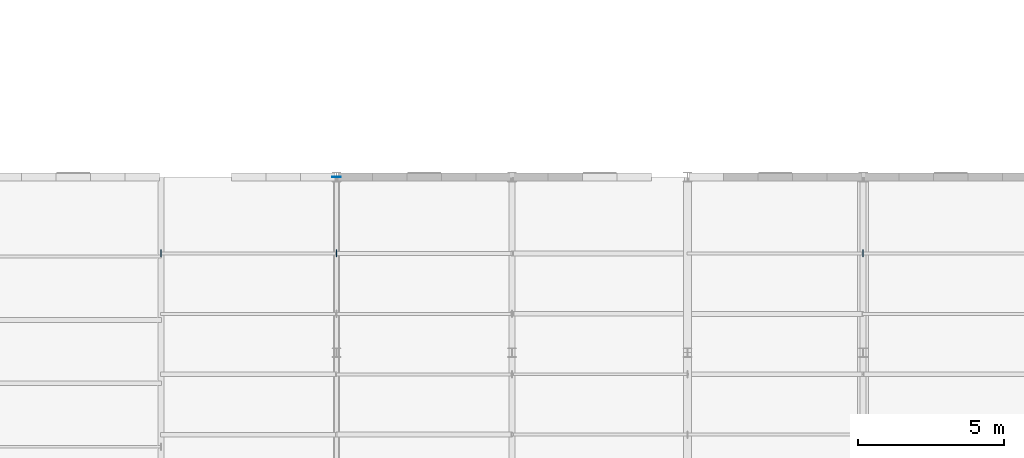
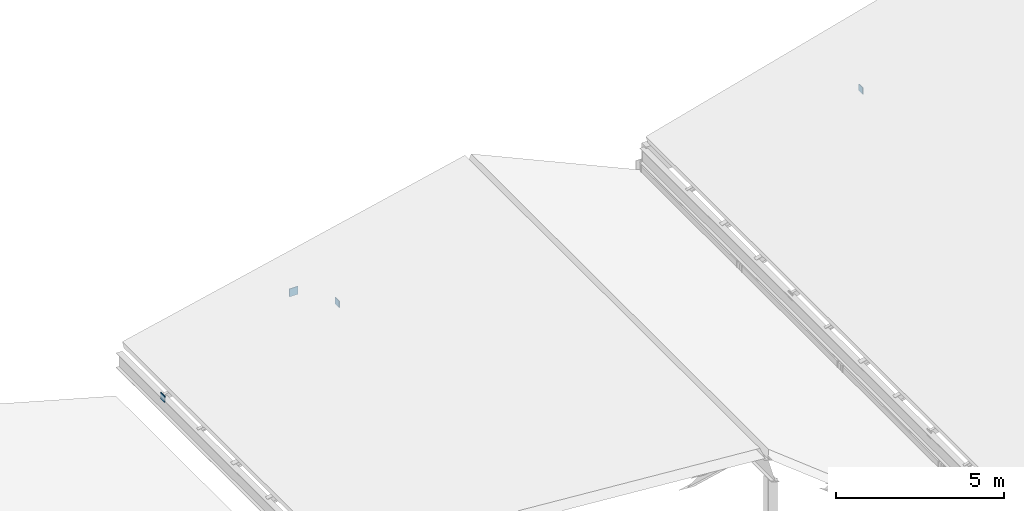
# One storey, part 54 of 74: 4 plates.
"""IFC4 building model written with IfcOpenShell, lengths in metres."""

from ifc_helpers import new_model, si_unit, direction, frame, origin, origin_2d, place, context, subcontext, project, spatial, rectangle, extrude, material, layer, layer_set, type_object, element, save


model = new_model("IFC4")

# Units and contexts
model_context = context("Model", 3, precision=1e-05, world=origin(), true_north=direction((0.0, 1.0)))
body_context = subcontext(model_context, "Body", "Model", "MODEL_VIEW")
ifc_project = project(units=[si_unit("LENGTHUNIT", "METRE"), si_unit("AREAUNIT", "SQUARE_METRE"), si_unit("VOLUMEUNIT", "CUBIC_METRE"), si_unit("PLANEANGLEUNIT", "RADIAN"), si_unit("MASSUNIT", "GRAM", prefix="KILO")], contexts=[model_context])

# Site, building, storey
site_placement = place(None, origin())
site = spatial("IfcSite", under=ifc_project, at=site_placement, CompositionType="ELEMENT")
building_placement = place(site_placement, origin())
building = spatial("IfcBuilding", under=site, at=building_placement, Name="Siltcreek Boulevard Central Fire Station", CompositionType="ELEMENT")
storey_placement = place(building_placement, frame((0.0, 0.0, 25.199951171875)))
storey = spatial("IfcBuildingStorey", under=building, at=storey_placement, Name="RF", CompositionType="ELEMENT", Elevation=25.199951171875)

# Plates
ifc_material = material(Name="Structural steel ASTM A572 Gr50", Category="steel")
ifc_layer = layer(ifc_material, 0.02490234375, Name="Structural steel ASTM A572 Gr50")
ifc_layer_set = layer_set([ifc_layer], Name="Structural steel ASTM A572 Gr50")
plate_type = type_object("IfcPlateType", Name="PL_CAP25", PredefinedType="USERDEFINED", material=ifc_layer_set)
plate_placement = place(storey_placement, frame((72.0, 54.00048828125, -11.406494140625), z_axis=(0.0, 0.0, 1.0), x_axis=(0.0, 1.0, 0.0)))
element("IfcPlate", 1, at=plate_placement, inside=storey, type_object=plate_type, Name="Roof truss bottom chord CH-002 sealed end cap 2", ObjectType="END CAP", PredefinedType="USERDEFINED", context=body_context, shape_type="SweptSolid", body=[
    extrude(rectangle(XDim=0.02490234375, YDim=0.2900390625, at=origin_2d()), origin(), (0.0, 0.0, 1.0), 0.2900390625),
])
for number, where, z_axis, x_axis, name in (
    (2, (65.999755859375, 51.3857421875, -11.54296875), (0.0, 0.0, 1.0), (1.0, 0.0, 0.0), "Sloped roof purlin PR-0087 sealed end cap 1"),
    (3, (72.000244140625, 51.3857421875, -10.19287109375), (0.0, 0.0, 1.0), (1.0, 0.0, 0.0), "Sloped roof purlin PR-0087 sealed end cap 2"),
    (4, (90.0, 51.3857421875, -8.7470703125), (0.0, 0.0, 1.0), (1.0, 0.0, 0.0), "Sloped roof purlin PR-0139 sealed end cap 1"),
):
    element("IfcPlate", number, at=place(storey_placement, frame(where, z_axis=z_axis, x_axis=x_axis)), inside=storey, type_object=plate_type, Name=name, ObjectType="END CAP", PredefinedType="USERDEFINED", context=body_context, shape_type="SweptSolid", body=[
        extrude(rectangle(XDim=0.02490234375, YDim=0.239990234375, at=origin_2d()), origin(), (0.0, 0.0, 1.0), 0.239990234375),
    ])

save(model, "model.ifc")
